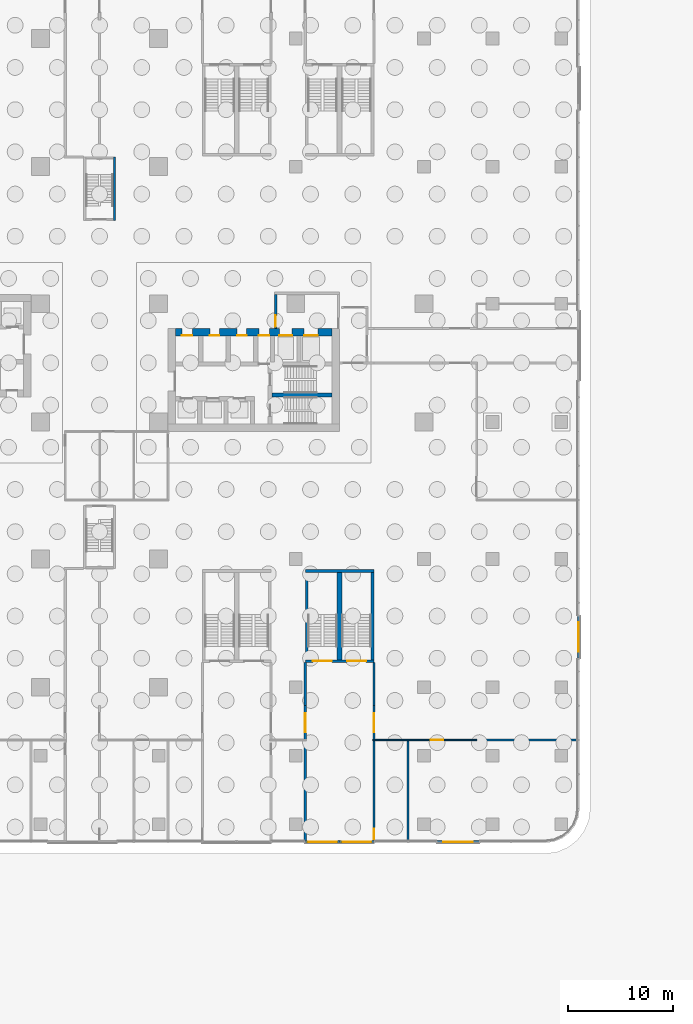
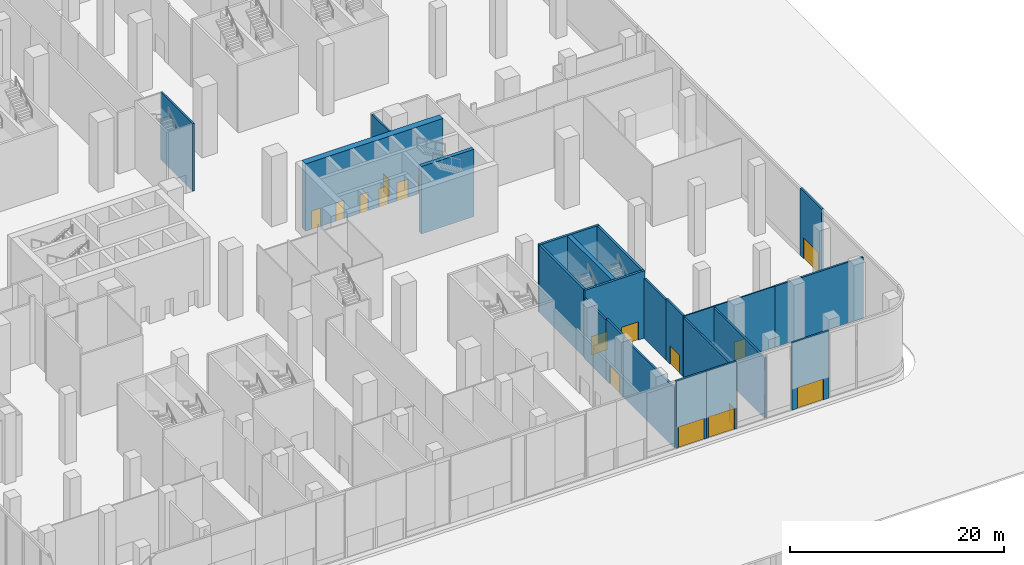
# One storey, part 20 of 27: 22 walls, 17 doors, 17 openings.
"""IFC4 building model written with IfcOpenShell, lengths in metres."""

from ifc_helpers import new_model, si_unit, direction, frame, frame_2d, origin, place, context, subcontext, project, spatial, rectangle, extrude, source, transform, mapped, material, layer, layer_set, type_object, element, fill, save


model = new_model("IFC4")

# Units and contexts
model_context = context("Model", 3, precision=1e-05, world=origin(), true_north=direction((0.0, 1.0)))
body_context = subcontext(model_context, "Body", "Model", "MODEL_VIEW")
ifc_project = project(units=[si_unit("LENGTHUNIT", "METRE"), si_unit("AREAUNIT", "SQUARE_METRE"), si_unit("VOLUMEUNIT", "CUBIC_METRE"), si_unit("PLANEANGLEUNIT", "RADIAN"), si_unit("MASSUNIT", "GRAM", prefix="KILO")], contexts=[model_context])

# Site, building, storey
site_placement = place(None, origin())
site = spatial("IfcSite", under=ifc_project, at=site_placement, CompositionType="ELEMENT")
building_placement = place(site_placement, origin())
building = spatial("IfcBuilding", under=site, at=building_placement, Name="Trellis Farm Tower", CompositionType="ELEMENT")
storey_placement = place(building_placement, origin())
storey = spatial("IfcBuildingStorey", under=building, at=storey_placement, Name="L00", CompositionType="ELEMENT", Elevation=0.0)

# Wall, openings, doors
ifc_material_1 = material(Name="Concrete C80/95", Category="concrete")
ifc_layer_1 = layer(ifc_material_1, 0.699951171875)
ifc_layer_set_1 = layer_set([ifc_layer_1], Name="CORE OUTER WALL 700 CONCRETE C80/95")
wall_type_1 = type_object("IfcWallType", Name="CORE OUTER WALL 700 CONCRETE C80/95", PredefinedType="SHEAR", material=ifc_layer_set_1)
wall_1_placement = place(storey_placement, frame((7.199951171875, 2.89990234375, 0.0), z_axis=(0.0, 0.0, 1.0), x_axis=(1.0, 0.0, 0.0)))
wall_1 = element("IfcWall", 1, at=wall_1_placement, inside=storey, type_object=wall_type_1, Name="Core wall", PredefinedType="SHEAR", context=body_context, shape_type="SweptSolid", body=[
    extrude(rectangle(XDim=14.85009765625, YDim=0.699951171875, at=frame_2d((7.425048828125, 0.0))), origin(), (0.0, 0.0, 1.0), 7.699951171875),
])
shared_shape_1 = source(origin(), body_context, "Body", "SweptSolid", [
    extrude(rectangle(XDim=1.300048828125, YDim=2.10009765625, at=frame_2d((0.64990234375, 1.050048828125))), frame((0.0, 0.360107421875, 0.0), z_axis=(0.0, -1.0, 0.0), x_axis=(1.0, 0.0, 0.0)), (0.0, 0.0, 1.0), 0.72021484375),
])
opening_1_placement = place(wall_1_placement, frame((12.199951171875, 0.0, 0.0)))
opening_1 = element("IfcOpeningElement", 2, at=opening_1_placement, cuts=wall_1, Name="Opening LD7", PredefinedType="OPENING", context=body_context, shape_type="MappedRepresentation", body=[
    mapped(shared_shape_1, transform((0.0, 0.0, 0.0))),
])
shared_shape_2 = source(origin(), body_context, "Body", "SweptSolid", [
    extrude(rectangle(XDim=1.199951171875, YDim=2.10009765625, at=frame_2d((0.60009765625, 1.050048828125))), frame((0.0, 0.360107421875, 0.0), z_axis=(0.0, -1.0, 0.0), x_axis=(1.0, 0.0, 0.0)), (0.0, 0.0, 1.0), 0.72021484375),
])
opening_2_placement = place(wall_1_placement, frame((9.85009765625, 0.0, 0.0)))
opening_2 = element("IfcOpeningElement", 3, at=opening_2_placement, cuts=wall_1, Name="Opening LD8", PredefinedType="OPENING", context=body_context, shape_type="MappedRepresentation", body=[
    mapped(shared_shape_2, transform((0.0, 0.0, 0.0))),
])
shared_shape_3 = source(origin(), body_context, "Body", "SweptSolid", [
    extrude(rectangle(XDim=1.0, YDim=2.10009765625, at=frame_2d((0.5, 1.050048828125))), frame((0.0, 0.360107421875, 0.0), z_axis=(0.0, -1.0, 0.0), x_axis=(1.0, 0.0, 0.0)), (0.0, 0.0, 1.0), 0.72021484375),
])
opening_3_placement = place(wall_1_placement, frame((7.89990234375, 0.0, 0.0)))
opening_3 = element("IfcOpeningElement", 4, at=opening_3_placement, cuts=wall_1, Name="Opening DC6", PredefinedType="OPENING", context=body_context, shape_type="MappedRepresentation", body=[
    mapped(shared_shape_3, transform((0.0, 0.0, 0.0))),
])
opening_4_placement = place(wall_1_placement, frame((0.60009765625, 0.0, 0.0)))
opening_4 = element("IfcOpeningElement", 5, at=opening_4_placement, cuts=wall_1, Name="Opening DC13", PredefinedType="OPENING", context=body_context, shape_type="MappedRepresentation", body=[
    mapped(shared_shape_3, transform((0.0, 0.0, 0.0))),
])
shared_shape_4 = source(origin(), body_context, "Body", "SweptSolid", [
    extrude(rectangle(XDim=0.89990234375, YDim=2.10009765625, at=frame_2d((0.449951171875, 1.050048828125))), frame((0.0, 0.360107421875, 0.0), z_axis=(0.0, -1.0, 0.0), x_axis=(1.0, 0.0, 0.0)), (0.0, 0.0, 1.0), 0.72021484375),
])
opening_5_placement = place(wall_1_placement, frame((3.25, 0.0, 0.0)))
opening_5 = element("IfcOpeningElement", 6, at=opening_5_placement, cuts=wall_1, Name="Opening DC24", PredefinedType="OPENING", context=body_context, shape_type="MappedRepresentation", body=[
    mapped(shared_shape_4, transform((0.0, 0.0, 0.0))),
])
opening_6_placement = place(wall_1_placement, frame((5.85009765625, 0.0, 0.0)))
opening_6 = element("IfcOpeningElement", 7, at=opening_6_placement, cuts=wall_1, Name="Opening DC35", PredefinedType="OPENING", context=body_context, shape_type="MappedRepresentation", body=[
    mapped(shared_shape_4, transform((0.0, 0.0, 0.0))),
])
ifc_material_2 = material(Name="Steel", Category="steel")
door_type_1 = type_object("IfcDoorType", Name="CORE FIRE DOOR 1000 X 2100", OperationType="NOTDEFINED", PredefinedType="DOOR", material=ifc_material_2)
shared_shape_5 = source(origin(), body_context, "Body", "SweptSolid", [
    extrude(rectangle(XDim=1.0, YDim=2.10009765625, at=frame_2d((0.5, 1.050048828125))), frame((0.0, -0.27490234375, 0.0), z_axis=(0.0, -1.0, 0.0), x_axis=(1.0, 0.0, 0.0)), (0.0, 0.0, 1.0), 0.050048828125),
])
door_1_placement = place(opening_3_placement, origin())
door_1 = element("IfcDoor", 8, at=door_1_placement, inside=storey, type_object=door_type_1, Name="Core door", OperationType="SINGLE_SWING_LEFT", OverallHeight=2.10009765625, OverallWidth=1.0, PredefinedType="DOOR", context=body_context, shape_type="MappedRepresentation", body=[
    mapped(shared_shape_5, transform((0.0, 0.0, 0.0))),
])
fill(opening_3, door_1)
door_2_placement = place(opening_4_placement, origin())
door_2 = element("IfcDoor", 9, at=door_2_placement, inside=storey, type_object=door_type_1, Name="Core door", OperationType="SINGLE_SWING_LEFT", OverallHeight=2.10009765625, OverallWidth=1.0, PredefinedType="DOOR", context=body_context, shape_type="MappedRepresentation", body=[
    mapped(shared_shape_5, transform((0.0, 0.0, 0.0))),
])
fill(opening_4, door_2)
door_type_2 = type_object("IfcDoorType", Name="CORE FIRE DOOR 900 X 2100", OperationType="NOTDEFINED", PredefinedType="DOOR", material=ifc_material_2)
shared_shape_6 = source(origin(), body_context, "Body", "SweptSolid", [
    extrude(rectangle(XDim=0.89990234375, YDim=2.10009765625, at=frame_2d((0.449951171875, 1.050048828125))), frame((0.0, -0.27490234375, 0.0), z_axis=(0.0, -1.0, 0.0), x_axis=(1.0, 0.0, 0.0)), (0.0, 0.0, 1.0), 0.050048828125),
])
door_3_placement = place(opening_5_placement, origin())
door_3 = element("IfcDoor", 10, at=door_3_placement, inside=storey, type_object=door_type_2, Name="Core door", OperationType="SINGLE_SWING_RIGHT", OverallHeight=2.10009765625, OverallWidth=0.89990234375, PredefinedType="DOOR", context=body_context, shape_type="MappedRepresentation", body=[
    mapped(shared_shape_6, transform((0.0, 0.0, 0.0))),
])
fill(opening_5, door_3)
door_4_placement = place(opening_6_placement, origin())
door_4 = element("IfcDoor", 11, at=door_4_placement, inside=storey, type_object=door_type_2, Name="Core door", OperationType="SINGLE_SWING_LEFT", OverallHeight=2.10009765625, OverallWidth=0.89990234375, PredefinedType="DOOR", context=body_context, shape_type="MappedRepresentation", body=[
    mapped(shared_shape_6, transform((0.0, 0.0, 0.0))),
])
fill(opening_6, door_4)
ifc_material_3 = material(Name="Stainless steel", Category="steel")
door_type_3 = type_object("IfcDoorType", Name="LIFT LANDING DOOR 1300 X 2100", OperationType="DOUBLE_DOOR_SLIDING", PredefinedType="DOOR", material=ifc_material_3)
shared_shape_7 = source(origin(), body_context, "Body", "SweptSolid", [
    extrude(rectangle(XDim=1.300048828125, YDim=2.10009765625, at=frame_2d((0.64990234375, 1.050048828125))), frame((0.0, -0.27490234375, 0.0), z_axis=(0.0, -1.0, 0.0), x_axis=(1.0, 0.0, 0.0)), (0.0, 0.0, 1.0), 0.050048828125),
])
door_5_placement = place(opening_1_placement, origin())
door_5 = element("IfcDoor", 12, at=door_5_placement, inside=storey, type_object=door_type_3, Name="Lift landing door", OperationType="DOUBLE_DOOR_SLIDING", OverallHeight=2.10009765625, OverallWidth=1.300048828125, PredefinedType="DOOR", context=body_context, shape_type="MappedRepresentation", body=[
    mapped(shared_shape_7, transform((0.0, 0.0, 0.0))),
])
fill(opening_1, door_5)
door_type_4 = type_object("IfcDoorType", Name="LIFT LANDING DOOR 1200 X 2100", OperationType="DOUBLE_DOOR_SLIDING", PredefinedType="DOOR", material=ifc_material_3)
shared_shape_8 = source(origin(), body_context, "Body", "SweptSolid", [
    extrude(rectangle(XDim=1.199951171875, YDim=2.10009765625, at=frame_2d((0.60009765625, 1.050048828125))), frame((0.0, -0.27490234375, 0.0), z_axis=(0.0, -1.0, 0.0), x_axis=(1.0, 0.0, 0.0)), (0.0, 0.0, 1.0), 0.050048828125),
])
door_6_placement = place(opening_2_placement, origin())
door_6 = element("IfcDoor", 13, at=door_6_placement, inside=storey, type_object=door_type_4, Name="Lift landing door", OperationType="DOUBLE_DOOR_SLIDING", OverallHeight=2.10009765625, OverallWidth=1.199951171875, PredefinedType="DOOR", context=body_context, shape_type="MappedRepresentation", body=[
    mapped(shared_shape_8, transform((0.0, 0.0, 0.0))),
])
fill(opening_2, door_6)

# Wall, opening, door
ifc_material_4 = material(Name="Masonry blockwork", Category="masonry")
ifc_layer_2 = layer(ifc_material_4, 0.199951171875)
ifc_layer_set_2 = layer_set([ifc_layer_2], Name="FIRE LOBBY PARTITION 200 BLOCKWORK")
wall_type_2 = type_object("IfcWallType", Name="FIRE LOBBY PARTITION 200 BLOCKWORK", PredefinedType="PARTITIONING", material=ifc_layer_set_2)
shared_shape_9 = source(origin(), body_context, "Body", "SweptSolid", [
    extrude(rectangle(XDim=3.25, YDim=0.199951171875, at=frame_2d((1.625, 0.0))), origin(), (0.0, 0.0, 1.0), 7.699951171875),
])
wall_2_placement = place(storey_placement, frame((16.699951171875, 3.25, 0.0), z_axis=(0.0, 0.0, 1.0), x_axis=(0.0, 1.0, 0.0)))
wall_2 = element("IfcWall", 14, at=wall_2_placement, inside=storey, type_object=wall_type_2, Name="Fire-fighting lobby partition", PredefinedType="PARTITIONING", context=body_context, shape_type="MappedRepresentation", body=[
    mapped(shared_shape_9, transform((0.0, 0.0, 0.0))),
])
shared_shape_10 = source(origin(), body_context, "Body", "SweptSolid", [
    extrude(rectangle(XDim=1.10009765625, YDim=2.10009765625, at=frame_2d((0.550048828125, 1.050048828125))), frame((0.0, 0.110107421875, 0.0), z_axis=(0.0, -1.0, 0.0), x_axis=(1.0, 0.0, 0.0)), (0.0, 0.0, 1.0), 0.22021484375),
])
opening_7_placement = place(wall_2_placement, frame((0.14990234375, 0.0, 0.0)))
opening_7 = element("IfcOpeningElement", 15, at=opening_7_placement, cuts=wall_2, Name="Opening DC7", PredefinedType="OPENING", context=body_context, shape_type="MappedRepresentation", body=[
    mapped(shared_shape_10, transform((0.0, 0.0, 0.0))),
])
door_type_5 = type_object("IfcDoorType", Name="CORE FIRE DOOR 1100 X 2100", OperationType="NOTDEFINED", PredefinedType="DOOR", material=ifc_material_2)
shared_shape_11 = source(origin(), body_context, "Body", "SweptSolid", [
    extrude(rectangle(XDim=1.10009765625, YDim=2.10009765625, at=frame_2d((0.550048828125, 1.050048828125))), frame((0.0, 0.02490234375, 0.0), z_axis=(0.0, -1.0, 0.0), x_axis=(1.0, 0.0, 0.0)), (0.0, 0.0, 1.0), 0.050048828125),
])
door_7_placement = place(opening_7_placement, origin())
door_7 = element("IfcDoor", 16, at=door_7_placement, inside=storey, type_object=door_type_5, Name="Core door", OperationType="SINGLE_SWING_RIGHT", OverallHeight=2.10009765625, OverallWidth=1.10009765625, PredefinedType="DOOR", context=body_context, shape_type="MappedRepresentation", body=[
    mapped(shared_shape_11, transform((0.0, 0.0, 0.0))),
])
fill(opening_7, door_7)

# Walls
ifc_layer_3 = layer(ifc_material_1, 0.39990234375)
ifc_layer_set_3 = layer_set([ifc_layer_3], Name="CORE INNER WALL 400 CONCRETE C80/95")
wall_type_3 = type_object("IfcWallType", Name="CORE INNER WALL 400 CONCRETE C80/95", PredefinedType="SHEAR", material=ifc_layer_set_3)
shared_shape_12 = source(origin(), body_context, "Body", "SweptSolid", [
    extrude(rectangle(XDim=5.699951171875, YDim=0.39990234375, at=frame_2d((2.85009765625, 0.0))), origin(), (0.0, 0.0, 1.0), 7.699951171875),
])
wall_3_placement = place(storey_placement, frame((16.35009765625, -3.050048828125, 0.0), z_axis=(0.0, 0.0, 1.0), x_axis=(1.0, 0.0, 0.0)))
element("IfcWall", 17, at=wall_3_placement, inside=storey, type_object=wall_type_3, Name="Core wall", PredefinedType="SHEAR", context=body_context, shape_type="MappedRepresentation", body=[
    mapped(shared_shape_12, transform((0.0, 0.0, 0.0))),
])
ifc_layer_4 = layer(ifc_material_1, 0.199951171875)
ifc_layer_set_4 = layer_set([ifc_layer_4], Name="CORE STAIR ENCLOSURE WALL 200 CONCRETE C80/95")
wall_type_4 = type_object("IfcWallType", Name="CORE STAIR ENCLOSURE WALL 200 CONCRETE C80/95", PredefinedType="SHEAR", material=ifc_layer_set_4)
shared_shape_13 = source(origin(), body_context, "Body", "SweptSolid", [
    extrude(rectangle(XDim=6.0, YDim=0.199951171875, at=frame_2d((3.0, 0.0))), origin(), (0.0, 0.0, 1.0), 7.699951171875),
])
wall_4_placement = place(storey_placement, frame((1.39990234375, 13.5, 0.0), z_axis=(0.0, 0.0, 1.0), x_axis=(0.0, 1.0, 0.0)))
element("IfcWall", 18, at=wall_4_placement, inside=storey, type_object=wall_type_4, Name="Stair enclosure wall", PredefinedType="SHEAR", context=body_context, shape_type="MappedRepresentation", body=[
    mapped(shared_shape_13, transform((0.0, 0.0, 0.0))),
])

# Wall, openings, doors
ifc_layer_5 = layer(ifc_material_1, 0.25)
ifc_layer_set_5 = layer_set([ifc_layer_5], Name="CORE STAIR ENCLOSURE WALL 250 CONCRETE C80/95")
wall_type_5 = type_object("IfcWallType", Name="CORE STAIR ENCLOSURE WALL 250 CONCRETE C80/95", PredefinedType="SHEAR", material=ifc_layer_set_5)
shared_shape_14 = source(origin(), body_context, "Body", "SweptSolid", [
    extrude(rectangle(XDim=6.5, YDim=0.25, at=frame_2d((3.25, 0.0))), origin(), (0.0, 0.0, 1.0), 7.699951171875),
])
wall_5_placement = place(storey_placement, frame((19.5, -28.27490234375, 0.0), z_axis=(0.0, 0.0, 1.0), x_axis=(1.0, 0.0, 0.0)))
wall_5 = element("IfcWall", 19, at=wall_5_placement, inside=storey, type_object=wall_type_5, Name="Podium stair enclosure wall", PredefinedType="SHEAR", context=body_context, shape_type="MappedRepresentation", body=[
    mapped(shared_shape_14, transform((0.0, 0.0, 0.0))),
])
shared_shape_15 = source(origin(), body_context, "Body", "SweptSolid", [
    extrude(rectangle(XDim=1.800048828125, YDim=2.10009765625, at=frame_2d((0.89990234375, 1.050048828125))), frame((0.0, 0.135009765625, 0.0), z_axis=(0.0, -1.0, 0.0), x_axis=(1.0, 0.0, 0.0)), (0.0, 0.0, 1.0), 0.27001953125),
])
opening_8_placement = place(wall_5_placement, frame((0.72509765625, 0.0, 0.0)))
opening_8 = element("IfcOpeningElement", 20, at=opening_8_placement, cuts=wall_5, Name="Opening DP15", PredefinedType="OPENING", context=body_context, shape_type="MappedRepresentation", body=[
    mapped(shared_shape_15, transform((0.0, 0.0, 0.0))),
])
opening_9_placement = place(wall_5_placement, frame((3.97509765625, 0.0, 0.0)))
opening_9 = element("IfcOpeningElement", 21, at=opening_9_placement, cuts=wall_5, Name="Opening DP16", PredefinedType="OPENING", context=body_context, shape_type="MappedRepresentation", body=[
    mapped(shared_shape_15, transform((0.0, 0.0, 0.0))),
])
door_type_6 = type_object("IfcDoorType", Name="CORE FIRE DOOR DOUBLE 1800 X 2100", OperationType="DOUBLE_DOOR_SINGLE_SWING", PredefinedType="DOOR", material=ifc_material_2)
shared_shape_16 = source(origin(), body_context, "Body", "SweptSolid", [
    extrude(rectangle(XDim=1.800048828125, YDim=2.10009765625, at=frame_2d((0.89990234375, 1.050048828125))), frame((0.0, 0.02490234375, 0.0), z_axis=(0.0, -1.0, 0.0), x_axis=(1.0, 0.0, 0.0)), (0.0, 0.0, 1.0), 0.050048828125),
])
door_8_placement = place(opening_8_placement, origin())
door_8 = element("IfcDoor", 22, at=door_8_placement, inside=storey, type_object=door_type_6, Name="Podium stair door", OperationType="DOUBLE_DOOR_SINGLE_SWING", OverallHeight=2.10009765625, OverallWidth=1.800048828125, PredefinedType="DOOR", context=body_context, shape_type="MappedRepresentation", body=[
    mapped(shared_shape_16, transform((0.0, 0.0, 0.0))),
])
fill(opening_8, door_8)
door_9_placement = place(opening_9_placement, origin())
door_9 = element("IfcDoor", 23, at=door_9_placement, inside=storey, type_object=door_type_6, Name="Podium stair door", OperationType="DOUBLE_DOOR_SINGLE_SWING", OverallHeight=2.10009765625, OverallWidth=1.800048828125, PredefinedType="DOOR", context=body_context, shape_type="MappedRepresentation", body=[
    mapped(shared_shape_16, transform((0.0, 0.0, 0.0))),
])
fill(opening_9, door_9)

# Walls
wall_6_placement = place(storey_placement, frame((19.5, -19.72509765625, 0.0), z_axis=(0.0, 0.0, 1.0), x_axis=(1.0, 0.0, 0.0)))
element("IfcWall", 24, at=wall_6_placement, inside=storey, type_object=wall_type_5, Name="Podium stair enclosure wall", PredefinedType="SHEAR", context=body_context, shape_type="MappedRepresentation", body=[
    mapped(shared_shape_14, transform((0.0, 0.0, 0.0))),
])
shared_shape_17 = source(origin(), body_context, "Body", "SweptSolid", [
    extrude(rectangle(XDim=8.2998046875, YDim=0.25, at=frame_2d((4.14990234375, 0.0))), origin(), (0.0, 0.0, 1.0), 7.699951171875),
])
for number, where, z_axis, x_axis, name in (
    (25, (19.625, -28.14990234375, 0.0), (0.0, 0.0, 1.0), (0.0, 1.0, 0.0), "Podium stair enclosure wall"),
    (26, (25.875, -28.14990234375, 0.0), (0.0, 0.0, 1.0), (0.0, 1.0, 0.0), "Podium stair enclosure wall"),
):
    element("IfcWall", number, at=place(storey_placement, frame(where, z_axis=z_axis, x_axis=x_axis)), inside=storey, type_object=wall_type_5, Name=name, PredefinedType="SHEAR", context=body_context, shape_type="MappedRepresentation", body=[
        mapped(shared_shape_17, transform((0.0, 0.0, 0.0))),
    ])
ifc_layer_6 = layer(ifc_material_1, 0.43994140625)
ifc_layer_set_6 = layer_set([ifc_layer_6], Name="CORE STAIR ENCLOSURE WALL 440 CONCRETE C80/95")
wall_type_6 = type_object("IfcWallType", Name="CORE STAIR ENCLOSURE WALL 440 CONCRETE C80/95", PredefinedType="SHEAR", material=ifc_layer_set_6)
shared_shape_18 = source(origin(), body_context, "Body", "SweptSolid", [
    extrude(rectangle(XDim=8.2998046875, YDim=0.43994140625, at=frame_2d((4.14990234375, 0.0))), origin(), (0.0, 0.0, 1.0), 7.699951171875),
])
wall_7_placement = place(storey_placement, frame((22.75, -28.14990234375, 0.0), z_axis=(0.0, 0.0, 1.0), x_axis=(0.0, 1.0, 0.0)))
element("IfcWall", 27, at=wall_7_placement, inside=storey, type_object=wall_type_6, Name="Podium stair enclosure wall", PredefinedType="SHEAR", context=body_context, shape_type="MappedRepresentation", body=[
    mapped(shared_shape_18, transform((0.0, 0.0, 0.0))),
])

# Wall, opening, door
ifc_material_5 = material(Name="Sandstone faced insulated wall", Category="masonry")
ifc_layer_7 = layer(ifc_material_5, 0.199951171875)
ifc_layer_set_7 = layer_set([ifc_layer_7], Name="EXTERNAL INFILL WALL 200")
wall_type_7 = type_object("IfcWallType", Name="EXTERNAL INFILL WALL 200", PredefinedType="SOLIDWALL", material=ifc_layer_set_7)
shared_shape_19 = source(origin(), body_context, "Body", "SweptSolid", [
    extrude(rectangle(XDim=4.0, YDim=0.199951171875, at=frame_2d((2.0, 0.0))), origin(), (0.0, 0.0, 1.0), 7.699951171875),
])
wall_8_placement = place(storey_placement, frame((45.39990234375, -24.0, 0.0), z_axis=(0.0, 0.0, 1.0), x_axis=(0.0, -1.0, 0.0)))
wall_8 = element("IfcWall", 28, at=wall_8_placement, inside=storey, type_object=wall_type_7, Name="EW1 01", PredefinedType="SOLIDWALL", context=body_context, shape_type="MappedRepresentation", body=[
    mapped(shared_shape_19, transform((0.0, 0.0, 0.0))),
])
shared_shape_20 = source(origin(), body_context, "Body", "SweptSolid", [
    extrude(rectangle(XDim=2.800048828125, YDim=2.39990234375, at=frame_2d((1.39990234375, 1.199951171875))), frame((0.0, 0.110107421875, 0.0), z_axis=(0.0, -1.0, 0.0), x_axis=(1.0, 0.0, 0.0)), (0.0, 0.0, 1.0), 0.22021484375),
])
opening_10_placement = place(wall_8_placement, frame((0.60009765625, 0.0, 0.0)))
opening_10 = element("IfcOpeningElement", 29, at=opening_10_placement, cuts=wall_8, Name="Opening ED4", PredefinedType="OPENING", context=body_context, shape_type="MappedRepresentation", body=[
    mapped(shared_shape_20, transform((0.0, 0.0, 0.0))),
])
ifc_material_6 = material(Name="Steel framed door", Category="steel")
door_type_7 = type_object("IfcDoorType", Name="EXIT DOOR 2800x2400", OperationType="DOUBLE_DOOR_SINGLE_SWING", PredefinedType="DOOR", material=ifc_material_6)
shared_shape_21 = source(origin(), body_context, "Body", "SweptSolid", [
    extrude(rectangle(XDim=2.800048828125, YDim=2.39990234375, at=frame_2d((1.39990234375, 1.199951171875))), frame((0.0, 0.02490234375, 0.0), z_axis=(0.0, -1.0, 0.0), x_axis=(1.0, 0.0, 0.0)), (0.0, 0.0, 1.0), 0.050048828125),
])
door_10_placement = place(opening_10_placement, origin())
door_10 = element("IfcDoor", 30, at=door_10_placement, inside=storey, type_object=door_type_7, Name="Exit door", OperationType="DOUBLE_DOOR_SINGLE_SWING", OverallHeight=2.39990234375, OverallWidth=2.800048828125, PredefinedType="DOOR", context=body_context, shape_type="MappedRepresentation", body=[
    mapped(shared_shape_21, transform((0.0, 0.0, 0.0))),
])
fill(opening_10, door_10)

wall_9_placement = place(storey_placement, frame((36.0, -45.39990234375, 0.0), z_axis=(0.0, 0.0, 1.0), x_axis=(-1.0, 0.0, 0.0)))
wall_9 = element("IfcWall", 31, at=wall_9_placement, inside=storey, type_object=wall_type_7, Name="EW1 27", PredefinedType="SOLIDWALL", context=body_context, shape_type="MappedRepresentation", body=[
    mapped(shared_shape_19, transform((0.0, 0.0, 0.0))),
])
opening_11_placement = place(wall_9_placement, frame((0.60009765625, 0.0, 0.0)))
opening_11 = element("IfcOpeningElement", 32, at=opening_11_placement, cuts=wall_9, Name="Opening ED4", PredefinedType="OPENING", context=body_context, shape_type="MappedRepresentation", body=[
    mapped(shared_shape_20, transform((0.0, 0.0, 0.0))),
])
door_11_placement = place(opening_11_placement, origin())
door_11 = element("IfcDoor", 33, at=door_11_placement, inside=storey, type_object=door_type_7, Name="Exit door", OperationType="DOUBLE_DOOR_SINGLE_SWING", OverallHeight=2.39990234375, OverallWidth=2.800048828125, PredefinedType="DOOR", context=body_context, shape_type="MappedRepresentation", body=[
    mapped(shared_shape_21, transform((0.0, 0.0, 0.0))),
])
fill(opening_11, door_11)

shared_shape_22 = source(origin(), body_context, "Body", "SweptSolid", [
    extrude(rectangle(XDim=3.25, YDim=0.199951171875, at=frame_2d((1.625, 0.0))), origin(), (0.0, 0.0, 1.0), 7.699951171875),
])
wall_10_placement = place(storey_placement, frame((22.75, -45.39990234375, 0.0), z_axis=(0.0, 0.0, 1.0), x_axis=(-1.0, 0.0, 0.0)))
wall_10 = element("IfcWall", 34, at=wall_10_placement, inside=storey, type_object=wall_type_7, Name="EW1 25", PredefinedType="SOLIDWALL", context=body_context, shape_type="MappedRepresentation", body=[
    mapped(shared_shape_22, transform((0.0, 0.0, 0.0))),
])
opening_12_placement = place(wall_10_placement, frame((0.22509765625, 0.0, 0.0)))
opening_12 = element("IfcOpeningElement", 35, at=opening_12_placement, cuts=wall_10, Name="Opening ED4", PredefinedType="OPENING", context=body_context, shape_type="MappedRepresentation", body=[
    mapped(shared_shape_20, transform((0.0, 0.0, 0.0))),
])
door_12_placement = place(opening_12_placement, origin())
door_12 = element("IfcDoor", 36, at=door_12_placement, inside=storey, type_object=door_type_7, Name="Exit door", OperationType="DOUBLE_DOOR_SINGLE_SWING", OverallHeight=2.39990234375, OverallWidth=2.800048828125, PredefinedType="DOOR", context=body_context, shape_type="MappedRepresentation", body=[
    mapped(shared_shape_21, transform((0.0, 0.0, 0.0))),
])
fill(opening_12, door_12)

wall_11_placement = place(storey_placement, frame((26.0, -45.39990234375, 0.0), z_axis=(0.0, 0.0, 1.0), x_axis=(-1.0, 0.0, 0.0)))
wall_11 = element("IfcWall", 37, at=wall_11_placement, inside=storey, type_object=wall_type_7, Name="EW1 26", PredefinedType="SOLIDWALL", context=body_context, shape_type="MappedRepresentation", body=[
    mapped(shared_shape_22, transform((0.0, 0.0, 0.0))),
])
opening_13_placement = place(wall_11_placement, frame((0.22509765625, 0.0, 0.0)))
opening_13 = element("IfcOpeningElement", 38, at=opening_13_placement, cuts=wall_11, Name="Opening ED4", PredefinedType="OPENING", context=body_context, shape_type="MappedRepresentation", body=[
    mapped(shared_shape_20, transform((0.0, 0.0, 0.0))),
])
door_13_placement = place(opening_13_placement, origin())
door_13 = element("IfcDoor", 39, at=door_13_placement, inside=storey, type_object=door_type_7, Name="Exit door", OperationType="DOUBLE_DOOR_SINGLE_SWING", OverallHeight=2.39990234375, OverallWidth=2.800048828125, PredefinedType="DOOR", context=body_context, shape_type="MappedRepresentation", body=[
    mapped(shared_shape_21, transform((0.0, 0.0, 0.0))),
])
fill(opening_13, door_13)

ifc_material_7 = material(Name="Lightweight blockwork, plastered", Category="masonry")
ifc_layer_8 = layer(ifc_material_7, 0.199951171875)
ifc_layer_set_8 = layer_set([ifc_layer_8], Name="BLOCK WALL 200 EI 120")
wall_type_8 = type_object("IfcWallType", Name="BLOCK WALL 200 EI 120", PredefinedType="PARTITIONING", material=ifc_layer_set_8)
shared_shape_23 = source(origin(), body_context, "Body", "SweptSolid", [
    extrude(rectangle(XDim=3.1875, YDim=0.199951171875, at=frame_2d((1.59375, 0.0))), origin(), (0.0, 0.0, 1.0), 6.99658203125),
])
wall_12_placement = place(storey_placement, frame((19.5, -35.6875, 0.0), z_axis=(0.0, 0.0, 1.0), x_axis=(0.0, 1.0, 0.0)))
wall_12 = element("IfcWall", 40, at=wall_12_placement, inside=storey, type_object=wall_type_8, Name="Partition PW3", PredefinedType="PARTITIONING", context=body_context, shape_type="MappedRepresentation", body=[
    mapped(shared_shape_23, transform((0.0, 0.0, 0.0))),
])
shared_shape_24 = source(origin(), body_context, "Body", "SweptSolid", [
    extrude(rectangle(XDim=1.800048828125, YDim=2.10009765625, at=frame_2d((0.89990234375, 1.050048828125))), frame((0.0, 0.110107421875, 0.0), z_axis=(0.0, -1.0, 0.0), x_axis=(1.0, 0.0, 0.0)), (0.0, 0.0, 1.0), 0.22021484375),
])
opening_14_placement = place(wall_12_placement, frame((0.66259765625, 0.0, 0.0)))
opening_14 = element("IfcOpeningElement", 41, at=opening_14_placement, cuts=wall_12, Name="Opening D410", PredefinedType="OPENING", context=body_context, shape_type="MappedRepresentation", body=[
    mapped(shared_shape_24, transform((0.0, 0.0, 0.0))),
])
ifc_material_8 = material(Name="Fire-rated timber door leaf in a hollow metal frame", Category="wood")
door_type_8 = type_object("IfcDoorType", Name="DOOR PAIR 1800x2100 FD60", OperationType="NOTDEFINED", PredefinedType="DOOR", material=ifc_material_8)
door_14_placement = place(opening_14_placement, origin())
door_14 = element("IfcDoor", 42, at=door_14_placement, inside=storey, type_object=door_type_8, Name="Door D410", OperationType="DOUBLE_DOOR_SINGLE_SWING", OverallHeight=2.10009765625, OverallWidth=1.800048828125, PredefinedType="DOOR", context=body_context, shape_type="MappedRepresentation", body=[
    mapped(shared_shape_16, transform((0.0, 0.0, 0.0))),
])
fill(opening_14, door_14)

wall_13_placement = place(storey_placement, frame((26.0, -32.5, 0.0), z_axis=(0.0, 0.0, 1.0), x_axis=(0.0, -1.0, 0.0)))
wall_13 = element("IfcWall", 43, at=wall_13_placement, inside=storey, type_object=wall_type_8, Name="Partition PW3", PredefinedType="PARTITIONING", context=body_context, shape_type="MappedRepresentation", body=[
    mapped(shared_shape_23, transform((0.0, 0.0, 0.0))),
])
opening_15_placement = place(wall_13_placement, frame((0.72509765625, 0.0, 0.0)))
opening_15 = element("IfcOpeningElement", 44, at=opening_15_placement, cuts=wall_13, Name="Opening D411", PredefinedType="OPENING", context=body_context, shape_type="MappedRepresentation", body=[
    mapped(shared_shape_24, transform((0.0, 0.0, 0.0))),
])
door_15_placement = place(opening_15_placement, origin())
door_15 = element("IfcDoor", 45, at=door_15_placement, inside=storey, type_object=door_type_8, Name="Door D411", OperationType="DOUBLE_DOOR_SINGLE_SWING", OverallHeight=2.10009765625, OverallWidth=1.800048828125, PredefinedType="DOOR", context=body_context, shape_type="MappedRepresentation", body=[
    mapped(shared_shape_16, transform((0.0, 0.0, 0.0))),
])
fill(opening_15, door_15)

# Walls
shared_shape_25 = source(origin(), body_context, "Body", "SweptSolid", [
    extrude(rectangle(XDim=4.10009765625, YDim=0.199951171875, at=frame_2d((2.050048828125, 0.0))), origin(), (0.0, 0.0, 1.0), 6.83935546875),
])
for number, where, z_axis, x_axis, name in (
    (46, (19.5, -32.5, 0.0), (0.0, 0.0, 1.0), (0.0, 1.0, 0.0), "Partition PW3"),
    (47, (26.0, -32.5, 0.0), (0.0, 0.0, 1.0), (0.0, 1.0, 0.0), "Partition PW3"),
):
    element("IfcWall", number, at=place(storey_placement, frame(where, z_axis=z_axis, x_axis=x_axis)), inside=storey, type_object=wall_type_8, Name=name, PredefinedType="PARTITIONING", context=body_context, shape_type="MappedRepresentation", body=[
        mapped(shared_shape_25, transform((0.0, 0.0, 0.0))),
    ])
shared_shape_26 = source(origin(), body_context, "Body", "SweptSolid", [
    extrude(rectangle(XDim=9.487548828125, YDim=0.199951171875, at=frame_2d((4.74365234375, 0.0))), origin(), (0.0, 0.0, 1.0), 6.83935546875),
])
wall_14_placement = place(storey_placement, frame((19.5, -45.300048828125, 0.0), z_axis=(0.0, 0.0, 1.0), x_axis=(0.0, 1.0, 0.0)))
element("IfcWall", 48, at=wall_14_placement, inside=storey, type_object=wall_type_8, Name="Partition PW3", PredefinedType="PARTITIONING", context=body_context, shape_type="MappedRepresentation", body=[
    mapped(shared_shape_26, transform((0.0, 0.0, 0.0))),
])

# Wall, opening, door
wall_15_placement = place(storey_placement, frame((26.0, -35.8125, 0.0), z_axis=(0.0, 0.0, 1.0), x_axis=(0.0, -1.0, 0.0)))
wall_15 = element("IfcWall", 49, at=wall_15_placement, inside=storey, type_object=wall_type_8, Name="Partition PW3", PredefinedType="PARTITIONING", context=body_context, shape_type="MappedRepresentation", body=[
    mapped(shared_shape_26, transform((0.0, 0.0, 0.0))),
])
shared_shape_27 = source(origin(), body_context, "Body", "SweptSolid", [
    extrude(rectangle(XDim=1.0, YDim=2.10009765625, at=frame_2d((0.5, 1.050048828125))), frame((0.0, 0.110107421875, 0.0), z_axis=(0.0, -1.0, 0.0), x_axis=(1.0, 0.0, 0.0)), (0.0, 0.0, 1.0), 0.22021484375),
])
opening_16_placement = place(wall_15_placement, frame((8.33740234375, 0.0, 0.0)))
opening_16 = element("IfcOpeningElement", 50, at=opening_16_placement, cuts=wall_15, Name="Opening D305", PredefinedType="OPENING", context=body_context, shape_type="MappedRepresentation", body=[
    mapped(shared_shape_27, transform((0.0, 0.0, 0.0))),
])
door_type_9 = type_object("IfcDoorType", Name="DOOR 1000x2100 FD60", OperationType="NOTDEFINED", PredefinedType="DOOR", material=ifc_material_8)
shared_shape_28 = source(origin(), body_context, "Body", "SweptSolid", [
    extrude(rectangle(XDim=1.0, YDim=2.10009765625, at=frame_2d((0.5, 1.050048828125))), frame((0.0, 0.02490234375, 0.0), z_axis=(0.0, -1.0, 0.0), x_axis=(1.0, 0.0, 0.0)), (0.0, 0.0, 1.0), 0.050048828125),
])
door_16_placement = place(opening_16_placement, origin())
door_16 = element("IfcDoor", 51, at=door_16_placement, inside=storey, type_object=door_type_9, Name="Door D305", OperationType="SINGLE_SWING_RIGHT", OverallHeight=2.10009765625, OverallWidth=1.0, PredefinedType="DOOR", context=body_context, shape_type="MappedRepresentation", body=[
    mapped(shared_shape_28, transform((0.0, 0.0, 0.0))),
])
fill(opening_16, door_16)

# Wall
wall_16_placement = place(storey_placement, frame((29.25, -45.300048828125, 0.0), z_axis=(0.0, 0.0, 1.0), x_axis=(0.0, 1.0, 0.0)))
element("IfcWall", 52, at=wall_16_placement, inside=storey, type_object=wall_type_8, Name="Partition PW3", PredefinedType="PARTITIONING", context=body_context, shape_type="MappedRepresentation", body=[
    mapped(shared_shape_26, transform((0.0, 0.0, 0.0))),
])

# Wall, opening, door
ifc_material_9 = material(Name="Plasterboard on steel studs, mineral wool", Category="steel")
ifc_layer_9 = layer(ifc_material_9, 0.125)
ifc_layer_set_9 = layer_set([ifc_layer_9], Name="PARTITION 125 STUD EI 60")
wall_type_9 = type_object("IfcWallType", Name="PARTITION 125 STUD EI 60", PredefinedType="PARTITIONING", material=ifc_layer_set_9)
shared_shape_29 = source(origin(), body_context, "Body", "SweptSolid", [
    extrude(rectangle(XDim=9.85009765625, YDim=0.125, at=frame_2d((4.925048828125, 0.0))), origin(), (0.0, 0.0, 1.0), 6.99658203125),
])
wall_17_placement = place(storey_placement, frame((35.75, -35.75, 0.0), z_axis=(0.0, 0.0, 1.0), x_axis=(-1.0, 0.0, 0.0)))
wall_17 = element("IfcWall", 53, at=wall_17_placement, inside=storey, type_object=wall_type_9, Name="Partition PW1", PredefinedType="PARTITIONING", context=body_context, shape_type="MappedRepresentation", body=[
    mapped(shared_shape_29, transform((0.0, 0.0, 0.0))),
])
shared_shape_30 = source(origin(), body_context, "Body", "SweptSolid", [
    extrude(rectangle(XDim=1.199951171875, YDim=2.10009765625, at=frame_2d((0.60009765625, 1.050048828125))), frame((0.0, 0.072509765625, 0.0), z_axis=(0.0, -1.0, 0.0), x_axis=(1.0, 0.0, 0.0)), (0.0, 0.0, 1.0), 0.14501953125),
])
opening_17_placement = place(wall_17_placement, frame((3.14990234375, 0.0, 0.0)))
opening_17 = element("IfcOpeningElement", 54, at=opening_17_placement, cuts=wall_17, Name="Opening D601", PredefinedType="OPENING", context=body_context, shape_type="MappedRepresentation", body=[
    mapped(shared_shape_30, transform((0.0, 0.0, 0.0))),
])
door_type_10 = type_object("IfcDoorType", Name="DOOR 1200x2100 FD30S", OperationType="NOTDEFINED", PredefinedType="DOOR", material=ifc_material_8)
shared_shape_31 = source(origin(), body_context, "Body", "SweptSolid", [
    extrude(rectangle(XDim=1.199951171875, YDim=2.10009765625, at=frame_2d((0.60009765625, 1.050048828125))), frame((0.0, 0.02490234375, 0.0), z_axis=(0.0, -1.0, 0.0), x_axis=(1.0, 0.0, 0.0)), (0.0, 0.0, 1.0), 0.050048828125),
])
door_17_placement = place(opening_17_placement, origin())
door_17 = element("IfcDoor", 55, at=door_17_placement, inside=storey, type_object=door_type_10, Name="Door D601", OperationType="SINGLE_SWING_RIGHT", OverallHeight=2.10009765625, OverallWidth=1.199951171875, PredefinedType="DOOR", context=body_context, shape_type="MappedRepresentation", body=[
    mapped(shared_shape_31, transform((0.0, 0.0, 0.0))),
])
fill(opening_17, door_17)

# Wall
shared_shape_32 = source(origin(), body_context, "Body", "SweptSolid", [
    extrude(rectangle(XDim=9.550048828125, YDim=0.199951171875, at=frame_2d((4.77490234375, 0.0))), origin(), (0.0, 0.0, 1.0), 6.99658203125),
])
wall_18_placement = place(storey_placement, frame((35.75, -35.75, 0.0), z_axis=(0.0, 0.0, 1.0), x_axis=(1.0, 0.0, 0.0)))
element("IfcWall", 56, at=wall_18_placement, inside=storey, type_object=wall_type_8, Name="Partition PW3", PredefinedType="PARTITIONING", context=body_context, shape_type="MappedRepresentation", body=[
    mapped(shared_shape_32, transform((0.0, 0.0, 0.0))),
])

save(model, "model.ifc")
